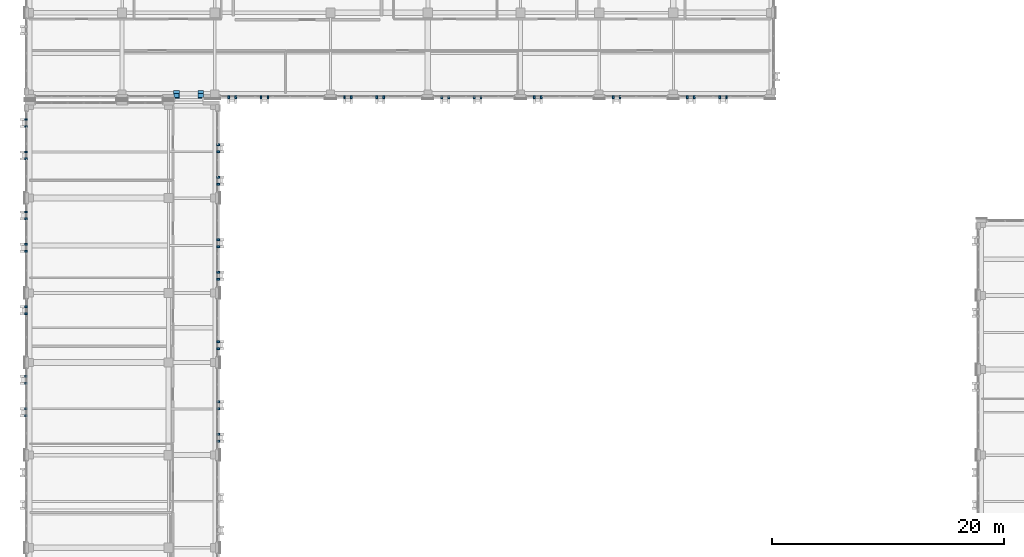
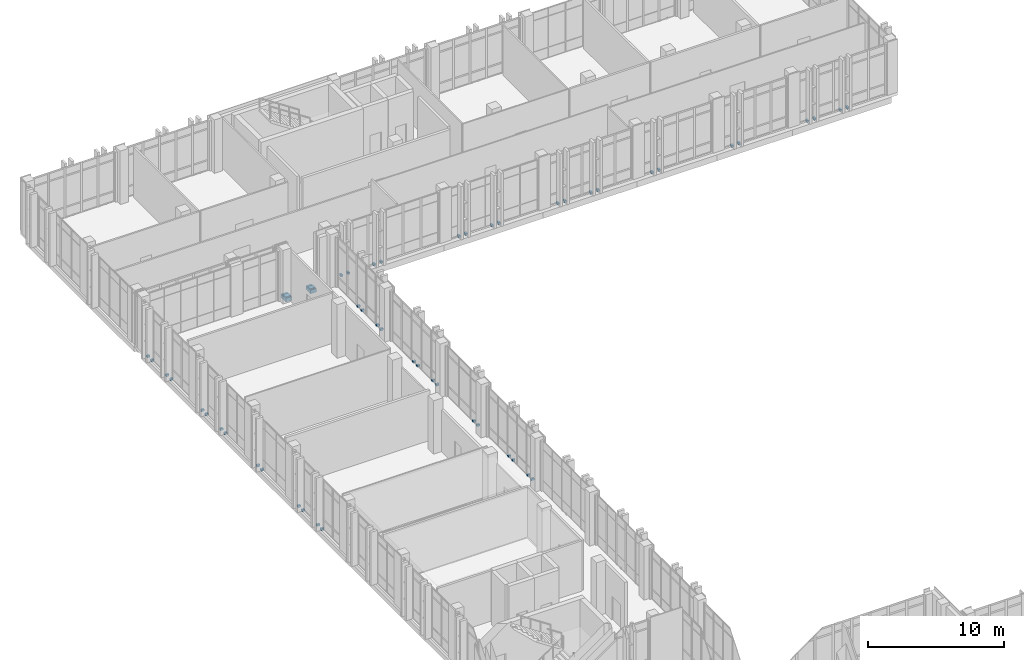
# One storey, part 165 of 189: 52 discrete accessories.
"""IFC4 building model written with IfcOpenShell, lengths in metres."""

from ifc_helpers import new_model, si_unit, direction, frame, origin, origin_2d, place, context, subcontext, project, spatial, rectangle, extrude, material, type_object, element, save


model = new_model("IFC4")

# Units and contexts
model_context = context("Model", 3, precision=1e-05, world=origin(), true_north=direction((0.0, 1.0)))
body_context = subcontext(model_context, "Body", "Model", "MODEL_VIEW")
ifc_project = project(units=[si_unit("LENGTHUNIT", "METRE"), si_unit("AREAUNIT", "SQUARE_METRE"), si_unit("VOLUMEUNIT", "CUBIC_METRE"), si_unit("PLANEANGLEUNIT", "RADIAN"), si_unit("MASSUNIT", "GRAM", prefix="KILO")], contexts=[model_context])

# Site, building, storey
site_placement = place(None, origin())
site = spatial("IfcSite", under=ifc_project, at=site_placement, CompositionType="ELEMENT")
building_placement = place(site_placement, origin())
building = spatial("IfcBuilding", under=site, at=building_placement, Name="Qalavern Law Courts", CompositionType="ELEMENT")
storey_placement = place(building_placement, frame((0.0, 0.0, 5.39990234375)))
storey = spatial("IfcBuildingStorey", under=building, at=storey_placement, Name="L01", CompositionType="ELEMENT", Elevation=5.39990234375)

# Discrete accessories
ifc_material_1 = material(Name="Steel S355", Category="steel")
discrete_accessory_type_1 = type_object("IfcDiscreteAccessoryType", Name="ENV-BRK-FIN", PredefinedType="BRACKET", material=ifc_material_1)
for number, where, z_axis, x_axis, name in (
    (1, (18.697509765625, 66.60009765625, -0.06982421875), (0.0, 0.0, 1.0), (1.0, 0.0, 0.0), "Stone blade anchor bracket 0209"),
    (2, (18.697509765625, 67.199951171875, -0.06982421875), (0.0, 0.0, 1.0), (1.0, 0.0, 0.0), "Stone blade anchor bracket 0210"),
    (3, (18.697509765625, 69.39990234375, -0.06982421875), (0.0, 0.0, 1.0), (1.0, 0.0, 0.0), "Stone blade anchor bracket 0211"),
    (4, (18.697509765625, 70.0, -0.06982421875), (0.0, 0.0, 1.0), (1.0, 0.0, 0.0), "Stone blade anchor bracket 0212"),
    (5, (18.697509765625, 74.60009765625, -0.06982421875), (0.0, 0.0, 1.0), (1.0, 0.0, 0.0), "Stone blade anchor bracket 0213"),
    (6, (18.697509765625, 75.199951171875, -0.06982421875), (0.0, 0.0, 1.0), (1.0, 0.0, 0.0), "Stone blade anchor bracket 0214"),
    (7, (18.697509765625, 80.60009765625, -0.06982421875), (0.0, 0.0, 1.0), (1.0, 0.0, 0.0), "Stone blade anchor bracket 0215"),
    (8, (18.697509765625, 81.199951171875, -0.06982421875), (0.0, 0.0, 1.0), (1.0, 0.0, 0.0), "Stone blade anchor bracket 0216"),
    (9, (18.697509765625, 83.39990234375, -0.06982421875), (0.0, 0.0, 1.0), (1.0, 0.0, 0.0), "Stone blade anchor bracket 0217"),
    (10, (18.697509765625, 84.0, -0.06982421875), (0.0, 0.0, 1.0), (1.0, 0.0, 0.0), "Stone blade anchor bracket 0218"),
    (11, (18.697509765625, 88.800048828125, -0.06982421875), (0.0, 0.0, 1.0), (1.0, 0.0, 0.0), "Stone blade anchor bracket 0219"),
    (12, (18.697509765625, 89.39990234375, -0.06982421875), (0.0, 0.0, 1.0), (1.0, 0.0, 0.0), "Stone blade anchor bracket 0220"),
    (13, (18.697509765625, 91.60009765625, -0.06982421875), (0.0, 0.0, 1.0), (1.0, 0.0, 0.0), "Stone blade anchor bracket 0221"),
    (14, (18.697509765625, 92.199951171875, -0.06982421875), (0.0, 0.0, 1.0), (1.0, 0.0, 0.0), "Stone blade anchor bracket 0222"),
    (15, (2.1025390625, 94.3798828125, -0.06982421875), (0.0, 0.0, 1.0), (-1.0, 0.0, 0.0), "Stone blade anchor bracket 0223"),
    (16, (2.1025390625, 93.780029296875, -0.06982421875), (0.0, 0.0, 1.0), (-1.0, 0.0, 0.0), "Stone blade anchor bracket 0224"),
    (17, (2.1025390625, 91.580078125, -0.06982421875), (0.0, 0.0, 1.0), (-1.0, 0.0, 0.0), "Stone blade anchor bracket 0225"),
    (18, (2.1025390625, 90.97998046875, -0.06982421875), (0.0, 0.0, 1.0), (-1.0, 0.0, 0.0), "Stone blade anchor bracket 0226"),
    (19, (2.1025390625, 86.39990234375, -0.06982421875), (0.0, 0.0, 1.0), (-1.0, 0.0, 0.0), "Stone blade anchor bracket 0227"),
    (20, (2.1025390625, 85.800048828125, -0.06982421875), (0.0, 0.0, 1.0), (-1.0, 0.0, 0.0), "Stone blade anchor bracket 0228"),
    (21, (2.1025390625, 83.60009765625, -0.06982421875), (0.0, 0.0, 1.0), (-1.0, 0.0, 0.0), "Stone blade anchor bracket 0229"),
    (22, (2.1025390625, 83.0, -0.06982421875), (0.0, 0.0, 1.0), (-1.0, 0.0, 0.0), "Stone blade anchor bracket 0230"),
    (23, (2.1025390625, 78.199951171875, -0.06982421875), (0.0, 0.0, 1.0), (-1.0, 0.0, 0.0), "Stone blade anchor bracket 0231"),
    (24, (2.1025390625, 77.60009765625, -0.06982421875), (0.0, 0.0, 1.0), (-1.0, 0.0, 0.0), "Stone blade anchor bracket 0232"),
    (25, (2.1025390625, 72.199951171875, -0.06982421875), (0.0, 0.0, 1.0), (-1.0, 0.0, 0.0), "Stone blade anchor bracket 0233"),
    (26, (2.1025390625, 71.60009765625, -0.06982421875), (0.0, 0.0, 1.0), (-1.0, 0.0, 0.0), "Stone blade anchor bracket 0234"),
    (27, (2.1025390625, 69.39990234375, -0.06982421875), (0.0, 0.0, 1.0), (-1.0, 0.0, 0.0), "Stone blade anchor bracket 0235"),
    (28, (2.1025390625, 68.800048828125, -0.06982421875), (0.0, 0.0, 1.0), (-1.0, 0.0, 0.0), "Stone blade anchor bracket 0236"),
    (29, (19.60009765625, 96.302490234375, -0.06982421875), (0.0, 0.0, 1.0), (0.0, -1.0, 0.0), "Stone blade anchor bracket 0897"),
    (30, (20.199951171875, 96.302490234375, -0.06982421875), (0.0, 0.0, 1.0), (0.0, -1.0, 0.0), "Stone blade anchor bracket 0898"),
    (31, (22.39990234375, 96.302490234375, -0.06982421875), (0.0, 0.0, 1.0), (0.0, -1.0, 0.0), "Stone blade anchor bracket 0899"),
    (32, (23.0, 96.302490234375, -0.06982421875), (0.0, 0.0, 1.0), (0.0, -1.0, 0.0), "Stone blade anchor bracket 0900"),
    (33, (29.60009765625, 96.302490234375, -0.06982421875), (0.0, 0.0, 1.0), (0.0, -1.0, 0.0), "Stone blade anchor bracket 0901"),
    (34, (30.199951171875, 96.302490234375, -0.06982421875), (0.0, 0.0, 1.0), (0.0, -1.0, 0.0), "Stone blade anchor bracket 0902"),
    (35, (32.39990234375, 96.302490234375, -0.06982421875), (0.0, 0.0, 1.0), (0.0, -1.0, 0.0), "Stone blade anchor bracket 0903"),
    (36, (33.0, 96.302490234375, -0.06982421875), (0.0, 0.0, 1.0), (0.0, -1.0, 0.0), "Stone blade anchor bracket 0904"),
    (37, (38.0, 96.302490234375, -0.06982421875), (0.0, 0.0, 1.0), (0.0, -1.0, 0.0), "Stone blade anchor bracket 0905"),
    (38, (38.60009765625, 96.302490234375, -0.06982421875), (0.0, 0.0, 1.0), (0.0, -1.0, 0.0), "Stone blade anchor bracket 0906"),
    (39, (40.800048828125, 96.302490234375, -0.06982421875), (0.0, 0.0, 1.0), (0.0, -1.0, 0.0), "Stone blade anchor bracket 0907"),
    (40, (41.39990234375, 96.302490234375, -0.06982421875), (0.0, 0.0, 1.0), (0.0, -1.0, 0.0), "Stone blade anchor bracket 0908"),
    (41, (46.0, 96.302490234375, -0.06982421875), (0.0, 0.0, 1.0), (0.0, -1.0, 0.0), "Stone blade anchor bracket 0909"),
    (42, (46.60009765625, 96.302490234375, -0.06982421875), (0.0, 0.0, 1.0), (0.0, -1.0, 0.0), "Stone blade anchor bracket 0910"),
    (43, (52.800048828125, 96.302490234375, -0.06982421875), (0.0, 0.0, 1.0), (0.0, -1.0, 0.0), "Stone blade anchor bracket 0911"),
    (44, (53.39990234375, 96.302490234375, -0.06982421875), (0.0, 0.0, 1.0), (0.0, -1.0, 0.0), "Stone blade anchor bracket 0912"),
    (45, (59.199951171875, 96.302490234375, -0.06982421875), (0.0, 0.0, 1.0), (0.0, -1.0, 0.0), "Stone blade anchor bracket 0913"),
    (46, (59.800048828125, 96.302490234375, -0.06982421875), (0.0, 0.0, 1.0), (0.0, -1.0, 0.0), "Stone blade anchor bracket 0914"),
    (47, (62.0, 96.302490234375, -0.06982421875), (0.0, 0.0, 1.0), (0.0, -1.0, 0.0), "Stone blade anchor bracket 0915"),
    (48, (62.60009765625, 96.302490234375, -0.06982421875), (0.0, 0.0, 1.0), (0.0, -1.0, 0.0), "Stone blade anchor bracket 0916"),
):
    element("IfcDiscreteAccessory", number, at=place(storey_placement, frame(where, z_axis=z_axis, x_axis=x_axis)), inside=storey, type_object=discrete_accessory_type_1, Name=name, PredefinedType="BRACKET", context=body_context, shape_type="SweptSolid", body=[
        extrude(rectangle(XDim=0.239990234375, YDim=0.159912109375, at=origin_2d()), origin(), (0.0, 0.0, 1.0), 0.179931640625),
    ])
ifc_material_2 = material(Name="Concrete C45/55", Category="concrete")
discrete_accessory_type_2 = type_object("IfcDiscreteAccessoryType", Name="STR-CORBEL-700", PredefinedType="BRACKET", material=ifc_material_2)
for number, where, z_axis, x_axis, name in (
    (49, (15.10009765625, 96.550048828125, -0.69970703125), (0.0, 0.0, 1.0), (1.0, 0.0, 0.0), "Bridge BR-V3-V5 700 mm corbel seat 1 L01"),
    (50, (17.199951171875, 96.550048828125, -0.69970703125), (0.0, 0.0, 1.0), (1.0, 0.0, 0.0), "Bridge BR-V3-V5 700 mm corbel seat 2 L01"),
):
    element("IfcDiscreteAccessory", number, at=place(storey_placement, frame(where, z_axis=z_axis, x_axis=x_axis)), inside=storey, type_object=discrete_accessory_type_2, Name=name, PredefinedType="BRACKET", context=body_context, shape_type="SweptSolid", body=[
        extrude(rectangle(XDim=0.5, YDim=0.699951171875, at=origin_2d()), origin(), (0.0, 0.0, 1.0), 0.320068359375),
    ])
discrete_accessory_type_3 = type_object("IfcDiscreteAccessoryType", Name="STR-SHOE-PTFE350", PredefinedType="SHOE", material=ifc_material_1)
for number, where, z_axis, x_axis, name in (
    (51, (15.10009765625, 96.449951171875, -0.3798828125), (0.0, 0.0, 1.0), (1.0, 0.0, 0.0), "Seismic bridge PTFE sliding bearing 47"),
    (52, (17.199951171875, 96.449951171875, -0.3798828125), (0.0, 0.0, 1.0), (1.0, 0.0, 0.0), "Seismic bridge PTFE sliding bearing 48"),
):
    element("IfcDiscreteAccessory", number, at=place(storey_placement, frame(where, z_axis=z_axis, x_axis=x_axis)), inside=storey, type_object=discrete_accessory_type_3, Name=name, PredefinedType="SHOE", context=body_context, shape_type="SweptSolid", body=[
        extrude(rectangle(XDim=0.449951171875, YDim=0.35009765625, at=origin_2d()), origin(), (0.0, 0.0, 1.0), 0.080078125),
    ])

save(model, "model.ifc")
